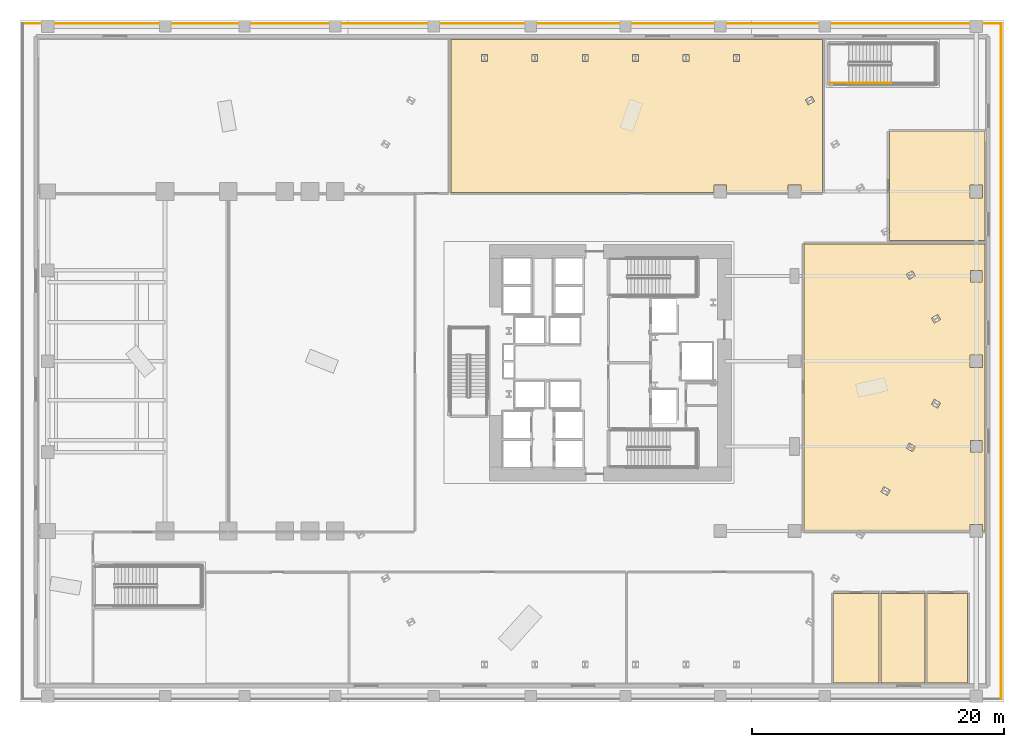
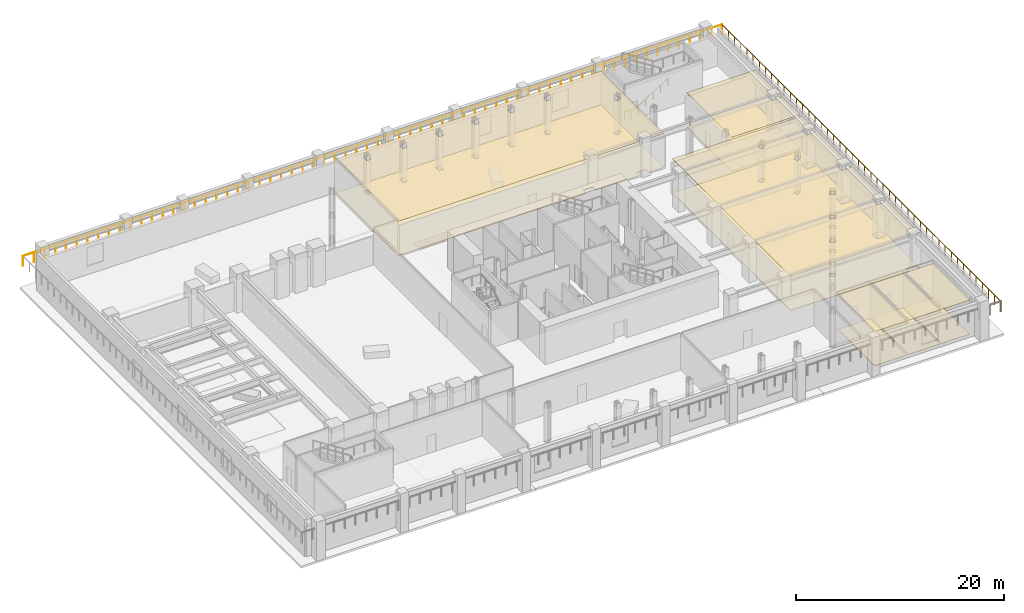
# One storey, part 16 of 18: 12 coverings, 4 railings.
"""IFC4 building model written with IfcOpenShell, lengths in metres."""

from ifc_helpers import new_model, si_unit, direction, frame, origin, origin_2d, place, context, subcontext, project, spatial, polyline, circle, outline, extrude, material, layer, layer_set, type_object, element, save


model = new_model("IFC4")

# Units and contexts
model_context = context("Model", 3, precision=1e-05, world=origin(), true_north=direction((0.0, 1.0)))
body_context = subcontext(model_context, "Body", "Model", "MODEL_VIEW")
ifc_project = project(units=[si_unit("LENGTHUNIT", "METRE"), si_unit("AREAUNIT", "SQUARE_METRE"), si_unit("VOLUMEUNIT", "CUBIC_METRE"), si_unit("PLANEANGLEUNIT", "RADIAN"), si_unit("MASSUNIT", "GRAM", prefix="KILO")], contexts=[model_context])

# Site, building, storey
site_placement = place(None, origin())
site = spatial("IfcSite", under=ifc_project, at=site_placement, CompositionType="ELEMENT")
building_placement = place(site_placement, origin())
building = spatial("IfcBuilding", under=site, at=building_placement, Name="Valkerne Bourse Tower", CompositionType="ELEMENT")
storey_placement = place(building_placement, frame((0.0, 0.0, 14.800048828125)))
storey = spatial("IfcBuildingStorey", under=building, at=storey_placement, Name="L03", CompositionType="ELEMENT", Elevation=14.800048828125)

# Coverings
ifc_material_1 = material(Name="Mineral Fiber Acoustic Ceiling Tile", Category="acoustic")
ifc_layer_1 = layer(ifc_material_1, 0.02490234375)
ifc_layer_set_1 = layer_set([ifc_layer_1], Name="Mineral Fiber Acoustic Ceiling Tile")
covering_type_1 = type_object("IfcCoveringType", Name="COV-CEIL-ACT", PredefinedType="CEILING", material=ifc_layer_set_1)
covering_1_placement = place(storey_placement, frame((0.0, 0.0, 4.010009765625)))
element("IfcCovering", 1, at=covering_1_placement, inside=storey, type_object=covering_type_1, Name="L03 Suspended Ceiling 05", PredefinedType="CEILING", context=body_context, shape_type="SweptSolid", body=[
    extrude(outline(polyline([(64.50390625, 8.595947265625), (68.095947265625, 8.595947265625), (68.095947265625, 1.50390625), (64.50390625, 1.50390625), (64.50390625, 8.595947265625)])), origin(), (0.0, 0.0, 1.0), 0.02490234375),
])
covering_2_placement = place(storey_placement, frame((0.0, 0.0, 4.010009765625)))
element("IfcCovering", 2, at=covering_2_placement, inside=storey, type_object=covering_type_1, Name="L03 Suspended Ceiling 06", PredefinedType="CEILING", context=body_context, shape_type="SweptSolid", body=[
    extrude(outline(polyline([(68.263916015625, 8.595947265625), (71.74609375, 8.595947265625), (71.74609375, 1.50390625), (68.263916015625, 1.50390625), (68.263916015625, 8.595947265625)])), origin(), (0.0, 0.0, 1.0), 0.02490234375),
])
covering_3_placement = place(storey_placement, frame((0.0, 0.0, 4.010009765625)))
element("IfcCovering", 3, at=covering_3_placement, inside=storey, type_object=covering_type_1, Name="L03 Suspended Ceiling 07", PredefinedType="CEILING", context=body_context, shape_type="SweptSolid", body=[
    extrude(outline(polyline([(71.9140625, 8.595947265625), (75.095947265625, 8.595947265625), (75.095947265625, 1.50390625), (71.9140625, 1.50390625), (71.9140625, 8.595947265625)])), origin(), (0.0, 0.0, 1.0), 0.02490234375),
])
covering_4_placement = place(storey_placement, frame((0.0, 0.0, 4.010009765625)))
element("IfcCovering", 4, at=covering_4_placement, inside=storey, type_object=covering_type_1, Name="L03 Suspended Ceiling 08", PredefinedType="CEILING", context=body_context, shape_type="SweptSolid", body=[
    extrude(outline(polyline([(62.154052734375, 36.2958984375), (76.49609375, 36.2958984375), (76.49609375, 13.553955078125), (76.303955078125, 13.553955078125), (76.303955078125, 14.053955078125), (75.2958984375, 14.053955078125), (75.2958984375, 13.553955078125), (66.555908203125, 13.553955078125), (66.479248046875, 13.59814453125), (66.453857421875, 13.553955078125), (62.154052734375, 13.553955078125), (62.154052734375, 36.2958984375)]), holes=[polyline([(68.24609375, 16.658203125), (68.74560546875, 16.36962890625), (68.97705078125, 16.770263671875), (68.477294921875, 17.058837890625), (68.24609375, 16.658203125)]), polyline([(70.475341796875, 20.51953125), (70.243896484375, 20.118896484375), (70.74365234375, 19.830322265625), (70.97509765625, 20.23095703125), (70.475341796875, 20.51953125)]), polyline([(76.25390625, 20.7041015625), (75.345947265625, 20.7041015625), (75.345947265625, 19.7958984375), (76.25390625, 19.7958984375), (76.25390625, 20.7041015625)]), polyline([(72.473388671875, 23.97998046875), (72.241943359375, 23.579345703125), (72.74169921875, 23.291015625), (72.972900390625, 23.691650390625), (72.473388671875, 23.97998046875)]), polyline([(76.303955078125, 27.50390625), (75.2958984375, 27.50390625), (75.2958984375, 26.49609375), (76.303955078125, 26.49609375), (76.303955078125, 27.50390625)]), polyline([(72.74169921875, 30.708984375), (72.241943359375, 30.420654296875), (72.473388671875, 30.02001953125), (72.972900390625, 30.308349609375), (72.74169921875, 30.708984375)]), polyline([(76.25390625, 34.2041015625), (75.345947265625, 34.2041015625), (75.345947265625, 33.2958984375), (76.25390625, 33.2958984375), (76.25390625, 34.2041015625)]), polyline([(70.243896484375, 33.881103515625), (70.475341796875, 33.48046875), (70.97509765625, 33.76904296875), (70.74365234375, 34.169677734375), (70.243896484375, 33.881103515625)])]), origin(), (0.0, 0.0, 1.0), 0.02490234375),
])
covering_5_placement = place(storey_placement, frame((0.0, 0.0, 4.010009765625)))
element("IfcCovering", 5, at=covering_5_placement, inside=storey, type_object=covering_type_1, Name="L03 Suspended Ceiling 09", PredefinedType="CEILING", context=body_context, shape_type="SweptSolid", body=[
    extrude(outline(polyline([(68.904052734375, 37.1875), (68.97705078125, 37.229736328125), (68.904052734375, 37.356201171875), (68.904052734375, 45.196044921875), (76.49609375, 45.196044921875), (76.49609375, 36.553955078125), (68.904052734375, 36.553955078125), (68.904052734375, 37.1875)]), holes=[polyline([(76.303955078125, 40.9541015625), (75.2958984375, 40.9541015625), (75.2958984375, 39.946044921875), (76.303955078125, 39.946044921875), (76.303955078125, 40.9541015625)])]), origin(), (0.0, 0.0, 1.0), 0.02490234375),
])
covering_6_placement = place(storey_placement, frame((0.0, 0.0, 4.010009765625)))
element("IfcCovering", 6, at=covering_6_placement, inside=storey, type_object=covering_type_1, Name="L03 Suspended Ceiling 10", PredefinedType="CEILING", context=body_context, shape_type="SweptSolid", body=[
    extrude(outline(polyline([(34.154052734375, 52.49609375), (63.595947265625, 52.49609375), (63.595947265625, 40.384033203125), (61.904052734375, 40.384033203125), (61.904052734375, 40.9541015625), (60.89599609375, 40.9541015625), (60.89599609375, 40.384033203125), (56.00390625, 40.384033203125), (56.00390625, 40.9541015625), (54.99609375, 40.9541015625), (54.99609375, 40.384033203125), (34.154052734375, 40.384033203125), (34.154052734375, 52.49609375)]), holes=[polyline([(57.021240234375, 51.32080078125), (56.55859375, 51.32080078125), (56.55859375, 50.74365234375), (57.021240234375, 50.74365234375), (57.021240234375, 51.32080078125)]), polyline([(53.025390625, 51.32080078125), (52.5625, 51.32080078125), (52.5625, 50.74365234375), (53.025390625, 50.74365234375), (53.025390625, 51.32080078125)]), polyline([(48.566650390625, 51.32080078125), (48.566650390625, 50.74365234375), (49.029296875, 50.74365234375), (49.029296875, 51.32080078125), (48.566650390625, 51.32080078125)]), polyline([(45.033203125, 51.32080078125), (44.57080078125, 51.32080078125), (44.57080078125, 50.74365234375), (45.033203125, 50.74365234375), (45.033203125, 51.32080078125)]), polyline([(41.037353515625, 51.32080078125), (40.57470703125, 51.32080078125), (40.57470703125, 50.74365234375), (41.037353515625, 50.74365234375), (41.037353515625, 51.32080078125)]), polyline([(36.57861328125, 51.32080078125), (36.57861328125, 50.74365234375), (37.04150390625, 50.74365234375), (37.04150390625, 51.32080078125), (36.57861328125, 51.32080078125)]), polyline([(62.751708984375, 48.01220703125), (62.251953125, 47.723876953125), (62.4833984375, 47.322998046875), (62.98291015625, 47.611572265625), (62.751708984375, 48.01220703125)])]), origin(), (0.0, 0.0, 1.0), 0.02490234375),
])
ifc_material_2 = material(Name="Galvanised Painted Steel", Category="steel")
ifc_layer_2 = layer(ifc_material_2, 0.044921875)
ifc_layer_set_2 = layer_set([ifc_layer_2], Name="Galvanised Painted Steel")
covering_type_2 = type_object("IfcCoveringType", Name="COV-FLR-RAF", PredefinedType="FLOORING", material=ifc_layer_set_2)
covering_7_placement = place(storey_placement, origin())
element("IfcCovering", 7, at=covering_7_placement, inside=storey, type_object=covering_type_2, Name="L03 Floor Finish 08", PredefinedType="FLOORING", context=body_context, shape_type="SweptSolid", body=[
    extrude(outline(polyline([(62.154052734375, 36.2958984375), (76.49609375, 36.2958984375), (76.49609375, 13.553955078125), (76.303955078125, 13.553955078125), (76.303955078125, 14.053955078125), (75.2958984375, 14.053955078125), (75.2958984375, 13.553955078125), (66.555908203125, 13.553955078125), (66.479248046875, 13.59814453125), (66.453857421875, 13.553955078125), (62.154052734375, 13.553955078125), (62.154052734375, 36.2958984375)]), holes=[polyline([(68.24609375, 16.658203125), (68.74560546875, 16.36962890625), (68.97705078125, 16.770263671875), (68.477294921875, 17.058837890625), (68.24609375, 16.658203125)]), polyline([(70.475341796875, 20.51953125), (70.243896484375, 20.118896484375), (70.74365234375, 19.830322265625), (70.97509765625, 20.23095703125), (70.475341796875, 20.51953125)]), polyline([(76.25390625, 20.7041015625), (75.345947265625, 20.7041015625), (75.345947265625, 19.7958984375), (76.25390625, 19.7958984375), (76.25390625, 20.7041015625)]), polyline([(72.473388671875, 23.97998046875), (72.241943359375, 23.579345703125), (72.74169921875, 23.291015625), (72.972900390625, 23.691650390625), (72.473388671875, 23.97998046875)]), polyline([(76.303955078125, 27.50390625), (75.2958984375, 27.50390625), (75.2958984375, 26.49609375), (76.303955078125, 26.49609375), (76.303955078125, 27.50390625)]), polyline([(72.74169921875, 30.708984375), (72.241943359375, 30.420654296875), (72.473388671875, 30.02001953125), (72.972900390625, 30.308349609375), (72.74169921875, 30.708984375)]), polyline([(76.25390625, 34.2041015625), (75.345947265625, 34.2041015625), (75.345947265625, 33.2958984375), (76.25390625, 33.2958984375), (76.25390625, 34.2041015625)]), polyline([(70.243896484375, 33.881103515625), (70.475341796875, 33.48046875), (70.97509765625, 33.76904296875), (70.74365234375, 34.169677734375), (70.243896484375, 33.881103515625)])]), origin(), (0.0, 0.0, 1.0), 0.044921875),
])
covering_8_placement = place(storey_placement, origin())
element("IfcCovering", 8, at=covering_8_placement, inside=storey, type_object=covering_type_2, Name="L03 Floor Finish 09", PredefinedType="FLOORING", context=body_context, shape_type="SweptSolid", body=[
    extrude(outline(polyline([(68.904052734375, 37.1875), (68.97705078125, 37.229736328125), (68.904052734375, 37.356201171875), (68.904052734375, 45.196044921875), (76.49609375, 45.196044921875), (76.49609375, 36.553955078125), (68.904052734375, 36.553955078125), (68.904052734375, 37.1875)]), holes=[polyline([(76.303955078125, 40.9541015625), (75.2958984375, 40.9541015625), (75.2958984375, 39.946044921875), (76.303955078125, 39.946044921875), (76.303955078125, 40.9541015625)])]), origin(), (0.0, 0.0, 1.0), 0.044921875),
])
covering_9_placement = place(storey_placement, origin())
element("IfcCovering", 9, at=covering_9_placement, inside=storey, type_object=covering_type_2, Name="L03 Floor Finish 10", PredefinedType="FLOORING", context=body_context, shape_type="SweptSolid", body=[
    extrude(outline(polyline([(34.154052734375, 52.49609375), (63.595947265625, 52.49609375), (63.595947265625, 40.384033203125), (61.904052734375, 40.384033203125), (61.904052734375, 40.9541015625), (60.89599609375, 40.9541015625), (60.89599609375, 40.384033203125), (56.00390625, 40.384033203125), (56.00390625, 40.9541015625), (54.99609375, 40.9541015625), (54.99609375, 40.384033203125), (34.154052734375, 40.384033203125), (34.154052734375, 52.49609375)]), holes=[polyline([(57.021240234375, 51.32080078125), (56.55859375, 51.32080078125), (56.55859375, 50.74365234375), (57.021240234375, 50.74365234375), (57.021240234375, 51.32080078125)]), polyline([(53.025390625, 51.32080078125), (52.5625, 51.32080078125), (52.5625, 50.74365234375), (53.025390625, 50.74365234375), (53.025390625, 51.32080078125)]), polyline([(48.566650390625, 51.32080078125), (48.566650390625, 50.74365234375), (49.029296875, 50.74365234375), (49.029296875, 51.32080078125), (48.566650390625, 51.32080078125)]), polyline([(45.033203125, 51.32080078125), (44.57080078125, 51.32080078125), (44.57080078125, 50.74365234375), (45.033203125, 50.74365234375), (45.033203125, 51.32080078125)]), polyline([(41.037353515625, 51.32080078125), (40.57470703125, 51.32080078125), (40.57470703125, 50.74365234375), (41.037353515625, 50.74365234375), (41.037353515625, 51.32080078125)]), polyline([(36.57861328125, 51.32080078125), (36.57861328125, 50.74365234375), (37.04150390625, 50.74365234375), (37.04150390625, 51.32080078125), (36.57861328125, 51.32080078125)]), polyline([(62.751708984375, 48.01220703125), (62.251953125, 47.723876953125), (62.4833984375, 47.322998046875), (62.98291015625, 47.611572265625), (62.751708984375, 48.01220703125)])]), origin(), (0.0, 0.0, 1.0), 0.044921875),
])
ifc_material_3 = material(Name="Polished Granite Stone", Category="masonry")
ifc_layer_3 = layer(ifc_material_3, 0.030029296875)
ifc_layer_set_3 = layer_set([ifc_layer_3], Name="Polished Granite Stone")
covering_type_3 = type_object("IfcCoveringType", Name="COV-FLR-TERRAZZO", PredefinedType="FLOORING", material=ifc_layer_set_3)
covering_10_placement = place(storey_placement, origin())
element("IfcCovering", 10, at=covering_10_placement, inside=storey, type_object=covering_type_3, Name="L03 Floor Finish 05", PredefinedType="FLOORING", context=body_context, shape_type="SweptSolid", body=[
    extrude(outline(polyline([(64.50390625, 8.595947265625), (68.095947265625, 8.595947265625), (68.095947265625, 1.50390625), (64.50390625, 1.50390625), (64.50390625, 8.595947265625)])), origin(), (0.0, 0.0, 1.0), 0.030029296875),
])
covering_11_placement = place(storey_placement, origin())
element("IfcCovering", 11, at=covering_11_placement, inside=storey, type_object=covering_type_3, Name="L03 Floor Finish 06", PredefinedType="FLOORING", context=body_context, shape_type="SweptSolid", body=[
    extrude(outline(polyline([(68.263916015625, 8.595947265625), (71.74609375, 8.595947265625), (71.74609375, 1.50390625), (68.263916015625, 1.50390625), (68.263916015625, 8.595947265625)])), origin(), (0.0, 0.0, 1.0), 0.030029296875),
])
covering_12_placement = place(storey_placement, origin())
element("IfcCovering", 12, at=covering_12_placement, inside=storey, type_object=covering_type_3, Name="L03 Floor Finish 07", PredefinedType="FLOORING", context=body_context, shape_type="SweptSolid", body=[
    extrude(outline(polyline([(71.9140625, 8.595947265625), (75.095947265625, 8.595947265625), (75.095947265625, 1.50390625), (71.9140625, 1.50390625), (71.9140625, 8.595947265625)])), origin(), (0.0, 0.0, 1.0), 0.030029296875),
])

# Railings
ifc_material_4 = material(Name="Laminated Tempered Safety Glass", Category="glass")
railing_type_1 = type_object("IfcRailingType", Name="RLG-GUARD-1150", PredefinedType="BALUSTRADE", material=ifc_material_4)
railing_1_placement = place(storey_placement, frame((77.780029296875, 0.219970703125, 2.599853515625)))
element("IfcRailing", 13, at=railing_1_placement, inside=storey, type_object=railing_type_1, Name="L03 Perimeter Guard Railing GRD-POD-L03-02", PredefinedType="BALUSTRADE", context=body_context, shape_type="SweptSolid", body=[
    extrude(circle(Radius=0.02392578125, at=origin_2d()), frame((0.0, 0.0, 1.1259765625), z_axis=(0.0, 1.0, 0.0), x_axis=(-1.0, 0.0, 0.0)), (0.0, 0.0, 1.0), 53.56005859375),
    extrude(circle(Radius=0.02099609375, at=origin_2d()), origin(), (0.0, 0.0, 1.0), 1.101806640625),
    extrude(circle(Radius=0.02099609375, at=origin_2d()), frame((0.0, 1.190185546875, 0.0)), (0.0, 0.0, 1.0), 1.101806640625),
    extrude(circle(Radius=0.02099609375, at=origin_2d()), frame((0.0, 2.38037109375, 0.0)), (0.0, 0.0, 1.0), 1.101806640625),
    extrude(circle(Radius=0.02099609375, at=origin_2d()), frame((0.0, 3.570556640625, 0.0)), (0.0, 0.0, 1.0), 1.101806640625),
    extrude(circle(Radius=0.02099609375, at=origin_2d()), frame((0.0, 4.760986328125, 0.0)), (0.0, 0.0, 1.0), 1.101806640625),
    extrude(circle(Radius=0.02099609375, at=origin_2d()), frame((0.0, 5.951171875, 0.0)), (0.0, 0.0, 1.0), 1.101806640625),
    extrude(circle(Radius=0.02099609375, at=origin_2d()), frame((0.0, 7.141357421875, 0.0)), (0.0, 0.0, 1.0), 1.101806640625),
    extrude(circle(Radius=0.02099609375, at=origin_2d()), frame((0.0, 8.33154296875, 0.0)), (0.0, 0.0, 1.0), 1.101806640625),
    extrude(circle(Radius=0.02099609375, at=origin_2d()), frame((0.0, 9.521728515625, 0.0)), (0.0, 0.0, 1.0), 1.101806640625),
    extrude(circle(Radius=0.02099609375, at=origin_2d()), frame((0.0, 10.7119140625, 0.0)), (0.0, 0.0, 1.0), 1.101806640625),
    extrude(circle(Radius=0.02099609375, at=origin_2d()), frame((0.0, 11.90234375, 0.0)), (0.0, 0.0, 1.0), 1.101806640625),
    extrude(circle(Radius=0.02099609375, at=origin_2d()), frame((0.0, 13.092529296875, 0.0)), (0.0, 0.0, 1.0), 1.101806640625),
    extrude(circle(Radius=0.02099609375, at=origin_2d()), frame((0.0, 14.28271484375, 0.0)), (0.0, 0.0, 1.0), 1.101806640625),
    extrude(circle(Radius=0.02099609375, at=origin_2d()), frame((0.0, 15.472900390625, 0.0)), (0.0, 0.0, 1.0), 1.101806640625),
    extrude(circle(Radius=0.02099609375, at=origin_2d()), frame((0.0, 16.6630859375, 0.0)), (0.0, 0.0, 1.0), 1.101806640625),
    extrude(circle(Radius=0.02099609375, at=origin_2d()), frame((0.0, 17.853271484375, 0.0)), (0.0, 0.0, 1.0), 1.101806640625),
    extrude(circle(Radius=0.02099609375, at=origin_2d()), frame((0.0, 19.04345703125, 0.0)), (0.0, 0.0, 1.0), 1.101806640625),
    extrude(circle(Radius=0.02099609375, at=origin_2d()), frame((0.0, 20.23388671875, 0.0)), (0.0, 0.0, 1.0), 1.101806640625),
    extrude(circle(Radius=0.02099609375, at=origin_2d()), frame((0.0, 21.424072265625, 0.0)), (0.0, 0.0, 1.0), 1.101806640625),
    extrude(circle(Radius=0.02099609375, at=origin_2d()), frame((0.0, 22.6142578125, 0.0)), (0.0, 0.0, 1.0), 1.101806640625),
    extrude(circle(Radius=0.02099609375, at=origin_2d()), frame((0.0, 23.804443359375, 0.0)), (0.0, 0.0, 1.0), 1.101806640625),
    extrude(circle(Radius=0.02099609375, at=origin_2d()), frame((0.0, 24.99462890625, 0.0)), (0.0, 0.0, 1.0), 1.101806640625),
    extrude(circle(Radius=0.02099609375, at=origin_2d()), frame((0.0, 26.184814453125, 0.0)), (0.0, 0.0, 1.0), 1.101806640625),
    extrude(circle(Radius=0.02099609375, at=origin_2d()), frame((0.0, 27.375244140625, 0.0)), (0.0, 0.0, 1.0), 1.101806640625),
    extrude(circle(Radius=0.02099609375, at=origin_2d()), frame((0.0, 28.5654296875, 0.0)), (0.0, 0.0, 1.0), 1.101806640625),
    extrude(circle(Radius=0.02099609375, at=origin_2d()), frame((0.0, 29.755615234375, 0.0)), (0.0, 0.0, 1.0), 1.101806640625),
    extrude(circle(Radius=0.02099609375, at=origin_2d()), frame((0.0, 30.94580078125, 0.0)), (0.0, 0.0, 1.0), 1.101806640625),
    extrude(circle(Radius=0.02099609375, at=origin_2d()), frame((0.0, 32.135986328125, 0.0)), (0.0, 0.0, 1.0), 1.101806640625),
    extrude(circle(Radius=0.02099609375, at=origin_2d()), frame((0.0, 33.326171875, 0.0)), (0.0, 0.0, 1.0), 1.101806640625),
    extrude(circle(Radius=0.02099609375, at=origin_2d()), frame((0.0, 34.5166015625, 0.0)), (0.0, 0.0, 1.0), 1.101806640625),
    extrude(circle(Radius=0.02099609375, at=origin_2d()), frame((0.0, 35.706787109375, 0.0)), (0.0, 0.0, 1.0), 1.101806640625),
    extrude(circle(Radius=0.02099609375, at=origin_2d()), frame((0.0, 36.89697265625, 0.0)), (0.0, 0.0, 1.0), 1.101806640625),
    extrude(circle(Radius=0.02099609375, at=origin_2d()), frame((0.0, 38.087158203125, 0.0)), (0.0, 0.0, 1.0), 1.101806640625),
    extrude(circle(Radius=0.02099609375, at=origin_2d()), frame((0.0, 39.27734375, 0.0)), (0.0, 0.0, 1.0), 1.101806640625),
    extrude(circle(Radius=0.02099609375, at=origin_2d()), frame((0.0, 40.467529296875, 0.0)), (0.0, 0.0, 1.0), 1.101806640625),
    extrude(circle(Radius=0.02099609375, at=origin_2d()), frame((0.0, 41.65771484375, 0.0)), (0.0, 0.0, 1.0), 1.101806640625),
    extrude(circle(Radius=0.02099609375, at=origin_2d()), frame((0.0, 42.84814453125, 0.0)), (0.0, 0.0, 1.0), 1.101806640625),
    extrude(circle(Radius=0.02099609375, at=origin_2d()), frame((0.0, 44.038330078125, 0.0)), (0.0, 0.0, 1.0), 1.101806640625),
    extrude(circle(Radius=0.02099609375, at=origin_2d()), frame((0.0, 45.228515625, 0.0)), (0.0, 0.0, 1.0), 1.101806640625),
    extrude(circle(Radius=0.02099609375, at=origin_2d()), frame((0.0, 46.418701171875, 0.0)), (0.0, 0.0, 1.0), 1.101806640625),
    extrude(circle(Radius=0.02099609375, at=origin_2d()), frame((0.0, 47.60888671875, 0.0)), (0.0, 0.0, 1.0), 1.101806640625),
    extrude(circle(Radius=0.02099609375, at=origin_2d()), frame((0.0, 48.799072265625, 0.0)), (0.0, 0.0, 1.0), 1.101806640625),
    extrude(circle(Radius=0.02099609375, at=origin_2d()), frame((0.0, 49.989501953125, 0.0)), (0.0, 0.0, 1.0), 1.101806640625),
    extrude(circle(Radius=0.02099609375, at=origin_2d()), frame((0.0, 51.1796875, 0.0)), (0.0, 0.0, 1.0), 1.101806640625),
    extrude(circle(Radius=0.02099609375, at=origin_2d()), frame((0.0, 52.369873046875, 0.0)), (0.0, 0.0, 1.0), 1.101806640625),
    extrude(circle(Radius=0.02099609375, at=origin_2d()), frame((0.0, 53.56005859375, 0.0)), (0.0, 0.0, 1.0), 1.101806640625),
])
railing_2_placement = place(storey_placement, frame((77.780029296875, 53.780029296875, 2.599853515625)))
element("IfcRailing", 14, at=railing_2_placement, inside=storey, type_object=railing_type_1, Name="L03 Perimeter Guard Railing GRD-POD-L03-03", PredefinedType="BALUSTRADE", context=body_context, shape_type="SweptSolid", body=[
    extrude(circle(Radius=0.02392578125, at=origin_2d()), frame((0.0, 0.0, 1.1259765625), z_axis=(-1.0, 0.0, 0.0), x_axis=(0.0, -1.0, 0.0)), (0.0, 0.0, 1.0), 77.56005859375),
    extrude(circle(Radius=0.02099609375, at=origin_2d()), origin(), (0.0, 0.0, 1.0), 1.101806640625),
    extrude(circle(Radius=0.02099609375, at=origin_2d()), frame((-1.193115234375, 0.0, 0.0)), (0.0, 0.0, 1.0), 1.101806640625),
    extrude(circle(Radius=0.02099609375, at=origin_2d()), frame((-2.386474609375, 0.0, 0.0)), (0.0, 0.0, 1.0), 1.101806640625),
    extrude(circle(Radius=0.02099609375, at=origin_2d()), frame((-3.57958984375, 0.0, 0.0)), (0.0, 0.0, 1.0), 1.101806640625),
    extrude(circle(Radius=0.02099609375, at=origin_2d()), frame((-4.77294921875, 0.0, 0.0)), (0.0, 0.0, 1.0), 1.101806640625),
    extrude(circle(Radius=0.02099609375, at=origin_2d()), frame((-5.966064453125, 0.0, 0.0)), (0.0, 0.0, 1.0), 1.101806640625),
    extrude(circle(Radius=0.02099609375, at=origin_2d()), frame((-7.159423828125, 0.0, 0.0)), (0.0, 0.0, 1.0), 1.101806640625),
    extrude(circle(Radius=0.02099609375, at=origin_2d()), frame((-8.3525390625, 0.0, 0.0)), (0.0, 0.0, 1.0), 1.101806640625),
    extrude(circle(Radius=0.02099609375, at=origin_2d()), frame((-9.5458984375, 0.0, 0.0)), (0.0, 0.0, 1.0), 1.101806640625),
    extrude(circle(Radius=0.02099609375, at=origin_2d()), frame((-10.739013671875, 0.0, 0.0)), (0.0, 0.0, 1.0), 1.101806640625),
    extrude(circle(Radius=0.02099609375, at=origin_2d()), frame((-11.932373046875, 0.0, 0.0)), (0.0, 0.0, 1.0), 1.101806640625),
    extrude(circle(Radius=0.02099609375, at=origin_2d()), frame((-13.12548828125, 0.0, 0.0)), (0.0, 0.0, 1.0), 1.101806640625),
    extrude(circle(Radius=0.02099609375, at=origin_2d()), frame((-14.31884765625, 0.0, 0.0)), (0.0, 0.0, 1.0), 1.101806640625),
    extrude(circle(Radius=0.02099609375, at=origin_2d()), frame((-15.511962890625, 0.0, 0.0)), (0.0, 0.0, 1.0), 1.101806640625),
    extrude(circle(Radius=0.02099609375, at=origin_2d()), frame((-16.705322265625, 0.0, 0.0)), (0.0, 0.0, 1.0), 1.101806640625),
    extrude(circle(Radius=0.02099609375, at=origin_2d()), frame((-17.8984375, 0.0, 0.0)), (0.0, 0.0, 1.0), 1.101806640625),
    extrude(circle(Radius=0.02099609375, at=origin_2d()), frame((-19.091796875, 0.0, 0.0)), (0.0, 0.0, 1.0), 1.101806640625),
    extrude(circle(Radius=0.02099609375, at=origin_2d()), frame((-20.284912109375, 0.0, 0.0)), (0.0, 0.0, 1.0), 1.101806640625),
    extrude(circle(Radius=0.02099609375, at=origin_2d()), frame((-21.478271484375, 0.0, 0.0)), (0.0, 0.0, 1.0), 1.101806640625),
    extrude(circle(Radius=0.02099609375, at=origin_2d()), frame((-22.67138671875, 0.0, 0.0)), (0.0, 0.0, 1.0), 1.101806640625),
    extrude(circle(Radius=0.02099609375, at=origin_2d()), frame((-23.86474609375, 0.0, 0.0)), (0.0, 0.0, 1.0), 1.101806640625),
    extrude(circle(Radius=0.02099609375, at=origin_2d()), frame((-25.057861328125, 0.0, 0.0)), (0.0, 0.0, 1.0), 1.101806640625),
    extrude(circle(Radius=0.02099609375, at=origin_2d()), frame((-26.2509765625, 0.0, 0.0)), (0.0, 0.0, 1.0), 1.101806640625),
    extrude(circle(Radius=0.02099609375, at=origin_2d()), frame((-27.4443359375, 0.0, 0.0)), (0.0, 0.0, 1.0), 1.101806640625),
    extrude(circle(Radius=0.02099609375, at=origin_2d()), frame((-28.637451171875, 0.0, 0.0)), (0.0, 0.0, 1.0), 1.101806640625),
    extrude(circle(Radius=0.02099609375, at=origin_2d()), frame((-29.830810546875, 0.0, 0.0)), (0.0, 0.0, 1.0), 1.101806640625),
    extrude(circle(Radius=0.02099609375, at=origin_2d()), frame((-31.02392578125, 0.0, 0.0)), (0.0, 0.0, 1.0), 1.101806640625),
    extrude(circle(Radius=0.02099609375, at=origin_2d()), frame((-32.21728515625, 0.0, 0.0)), (0.0, 0.0, 1.0), 1.101806640625),
    extrude(circle(Radius=0.02099609375, at=origin_2d()), frame((-33.410400390625, 0.0, 0.0)), (0.0, 0.0, 1.0), 1.101806640625),
    extrude(circle(Radius=0.02099609375, at=origin_2d()), frame((-34.603759765625, 0.0, 0.0)), (0.0, 0.0, 1.0), 1.101806640625),
    extrude(circle(Radius=0.02099609375, at=origin_2d()), frame((-35.796875, 0.0, 0.0)), (0.0, 0.0, 1.0), 1.101806640625),
    extrude(circle(Radius=0.02099609375, at=origin_2d()), frame((-36.990234375, 0.0, 0.0)), (0.0, 0.0, 1.0), 1.101806640625),
    extrude(circle(Radius=0.02099609375, at=origin_2d()), frame((-38.183349609375, 0.0, 0.0)), (0.0, 0.0, 1.0), 1.101806640625),
    extrude(circle(Radius=0.02099609375, at=origin_2d()), frame((-39.376708984375, 0.0, 0.0)), (0.0, 0.0, 1.0), 1.101806640625),
    extrude(circle(Radius=0.02099609375, at=origin_2d()), frame((-40.56982421875, 0.0, 0.0)), (0.0, 0.0, 1.0), 1.101806640625),
    extrude(circle(Radius=0.02099609375, at=origin_2d()), frame((-41.76318359375, 0.0, 0.0)), (0.0, 0.0, 1.0), 1.101806640625),
    extrude(circle(Radius=0.02099609375, at=origin_2d()), frame((-42.956298828125, 0.0, 0.0)), (0.0, 0.0, 1.0), 1.101806640625),
    extrude(circle(Radius=0.02099609375, at=origin_2d()), frame((-44.149658203125, 0.0, 0.0)), (0.0, 0.0, 1.0), 1.101806640625),
    extrude(circle(Radius=0.02099609375, at=origin_2d()), frame((-45.3427734375, 0.0, 0.0)), (0.0, 0.0, 1.0), 1.101806640625),
    extrude(circle(Radius=0.02099609375, at=origin_2d()), frame((-46.5361328125, 0.0, 0.0)), (0.0, 0.0, 1.0), 1.101806640625),
    extrude(circle(Radius=0.02099609375, at=origin_2d()), frame((-47.729248046875, 0.0, 0.0)), (0.0, 0.0, 1.0), 1.101806640625),
    extrude(circle(Radius=0.02099609375, at=origin_2d()), frame((-48.922607421875, 0.0, 0.0)), (0.0, 0.0, 1.0), 1.101806640625),
    extrude(circle(Radius=0.02099609375, at=origin_2d()), frame((-50.11572265625, 0.0, 0.0)), (0.0, 0.0, 1.0), 1.101806640625),
    extrude(circle(Radius=0.02099609375, at=origin_2d()), frame((-51.30908203125, 0.0, 0.0)), (0.0, 0.0, 1.0), 1.101806640625),
    extrude(circle(Radius=0.02099609375, at=origin_2d()), frame((-52.502197265625, 0.0, 0.0)), (0.0, 0.0, 1.0), 1.101806640625),
    extrude(circle(Radius=0.02099609375, at=origin_2d()), frame((-53.6953125, 0.0, 0.0)), (0.0, 0.0, 1.0), 1.101806640625),
    extrude(circle(Radius=0.02099609375, at=origin_2d()), frame((-54.888671875, 0.0, 0.0)), (0.0, 0.0, 1.0), 1.101806640625),
    extrude(circle(Radius=0.02099609375, at=origin_2d()), frame((-56.081787109375, 0.0, 0.0)), (0.0, 0.0, 1.0), 1.101806640625),
    extrude(circle(Radius=0.02099609375, at=origin_2d()), frame((-57.275146484375, 0.0, 0.0)), (0.0, 0.0, 1.0), 1.101806640625),
    extrude(circle(Radius=0.02099609375, at=origin_2d()), frame((-58.46826171875, 0.0, 0.0)), (0.0, 0.0, 1.0), 1.101806640625),
    extrude(circle(Radius=0.02099609375, at=origin_2d()), frame((-59.66162109375, 0.0, 0.0)), (0.0, 0.0, 1.0), 1.101806640625),
    extrude(circle(Radius=0.02099609375, at=origin_2d()), frame((-60.854736328125, 0.0, 0.0)), (0.0, 0.0, 1.0), 1.101806640625),
    extrude(circle(Radius=0.02099609375, at=origin_2d()), frame((-62.048095703125, 0.0, 0.0)), (0.0, 0.0, 1.0), 1.101806640625),
    extrude(circle(Radius=0.02099609375, at=origin_2d()), frame((-63.2412109375, 0.0, 0.0)), (0.0, 0.0, 1.0), 1.101806640625),
    extrude(circle(Radius=0.02099609375, at=origin_2d()), frame((-64.4345703125, 0.0, 0.0)), (0.0, 0.0, 1.0), 1.101806640625),
    extrude(circle(Radius=0.02099609375, at=origin_2d()), frame((-65.627685546875, 0.0, 0.0)), (0.0, 0.0, 1.0), 1.101806640625),
    extrude(circle(Radius=0.02099609375, at=origin_2d()), frame((-66.821044921875, 0.0, 0.0)), (0.0, 0.0, 1.0), 1.101806640625),
    extrude(circle(Radius=0.02099609375, at=origin_2d()), frame((-68.01416015625, 0.0, 0.0)), (0.0, 0.0, 1.0), 1.101806640625),
    extrude(circle(Radius=0.02099609375, at=origin_2d()), frame((-69.20751953125, 0.0, 0.0)), (0.0, 0.0, 1.0), 1.101806640625),
    extrude(circle(Radius=0.02099609375, at=origin_2d()), frame((-70.400634765625, 0.0, 0.0)), (0.0, 0.0, 1.0), 1.101806640625),
    extrude(circle(Radius=0.02099609375, at=origin_2d()), frame((-71.593994140625, 0.0, 0.0)), (0.0, 0.0, 1.0), 1.101806640625),
    extrude(circle(Radius=0.02099609375, at=origin_2d()), frame((-72.787109375, 0.0, 0.0)), (0.0, 0.0, 1.0), 1.101806640625),
    extrude(circle(Radius=0.02099609375, at=origin_2d()), frame((-73.98046875, 0.0, 0.0)), (0.0, 0.0, 1.0), 1.101806640625),
    extrude(circle(Radius=0.02099609375, at=origin_2d()), frame((-75.173583984375, 0.0, 0.0)), (0.0, 0.0, 1.0), 1.101806640625),
    extrude(circle(Radius=0.02099609375, at=origin_2d()), frame((-76.366943359375, 0.0, 0.0)), (0.0, 0.0, 1.0), 1.101806640625),
    extrude(circle(Radius=0.02099609375, at=origin_2d()), frame((-77.56005859375, 0.0, 0.0)), (0.0, 0.0, 1.0), 1.101806640625),
])
railing_type_2 = type_object("IfcRailingType", Name="RLG-ST-GUARD-1120", PredefinedType="GUARDRAIL", material=ifc_material_2)
railing_3_placement = place(storey_placement, frame((64.199951171875, 49.050048828125, 0.0)))
element("IfcRailing", 15, at=railing_3_placement, inside=storey, type_object=railing_type_2, Name="L03 ST-P2 stair guard 8", PredefinedType="GUARDRAIL", context=body_context, shape_type="SweptSolid", body=[
    extrude(circle(Radius=0.02392578125, at=origin_2d()), frame((0.0, 0.0, 1.09619140625), z_axis=(1.0, 0.0, 0.0), x_axis=(0.0, 1.0, 0.0)), (0.0, 0.0, 1.0), 1.5),
    extrude(circle(Radius=0.02099609375, at=origin_2d()), origin(), (0.0, 0.0, 1.0), 1.072021484375),
    extrude(circle(Radius=0.02099609375, at=origin_2d()), frame((0.75, 0.0, 0.0)), (0.0, 0.0, 1.0), 1.072021484375),
    extrude(circle(Radius=0.02099609375, at=origin_2d()), frame((1.5, 0.0, 0.0)), (0.0, 0.0, 1.0), 1.072021484375),
])
ifc_material_5 = material(Name="Stainless Steel AISI 316", Category="steel")
railing_type_3 = type_object("IfcRailingType", Name="RLG-ST-HANDRAIL-900", PredefinedType="HANDRAIL", material=ifc_material_5)
railing_4_placement = place(storey_placement, frame((65.699951171875, 49.050048828125, 0.353759765625)))
element("IfcRailing", 16, at=railing_4_placement, inside=storey, type_object=railing_type_3, Name="L03 ST-P2 stair handrail 1", PredefinedType="HANDRAIL", context=body_context, shape_type="SweptSolid", body=[
    extrude(circle(Radius=0.02392578125, at=origin_2d()), frame((0.0, 0.0, 0.8759765625), z_axis=(0.845389635667, 0.0, 0.534150132366), x_axis=(0.0, 1.0, 0.0)), (0.0, 0.0, 1.0), 3.974609375),
    extrude(circle(Radius=0.02099609375, at=origin_2d()), origin(), (0.0, 0.0, 1.0), 0.851806640625),
    extrude(circle(Radius=0.02099609375, at=origin_2d()), frame((0.840087890625, 0.0, 0.53076171875)), (0.0, 0.0, 1.0), 0.851806640625),
    extrude(circle(Radius=0.02099609375, at=origin_2d()), frame((1.68017578125, 0.0, 1.0615234375)), (0.0, 0.0, 1.0), 0.851806640625),
    extrude(circle(Radius=0.02099609375, at=origin_2d()), frame((2.52001953125, 0.0, 1.59228515625)), (0.0, 0.0, 1.0), 0.851806640625),
    extrude(circle(Radius=0.02099609375, at=origin_2d()), frame((3.360107421875, 0.0, 2.123046875)), (0.0, 0.0, 1.0), 0.851806640625),
])

save(model, "model.ifc")
